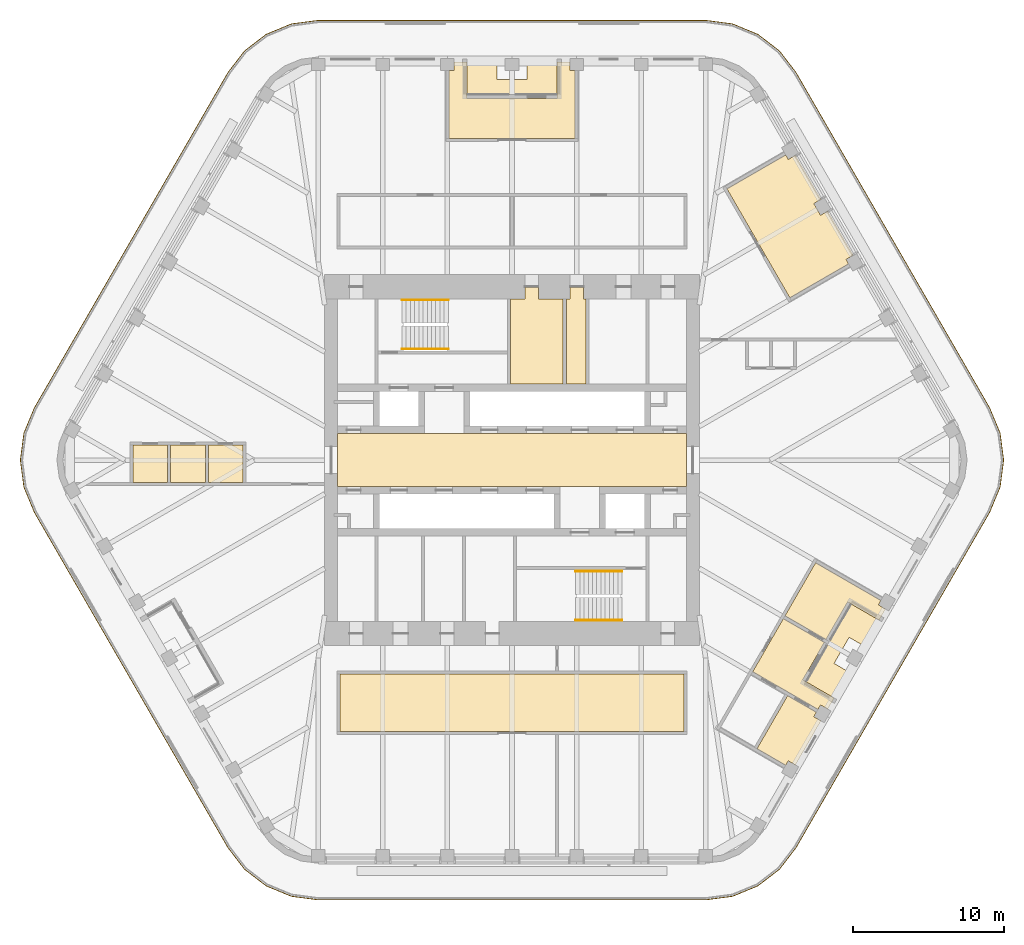
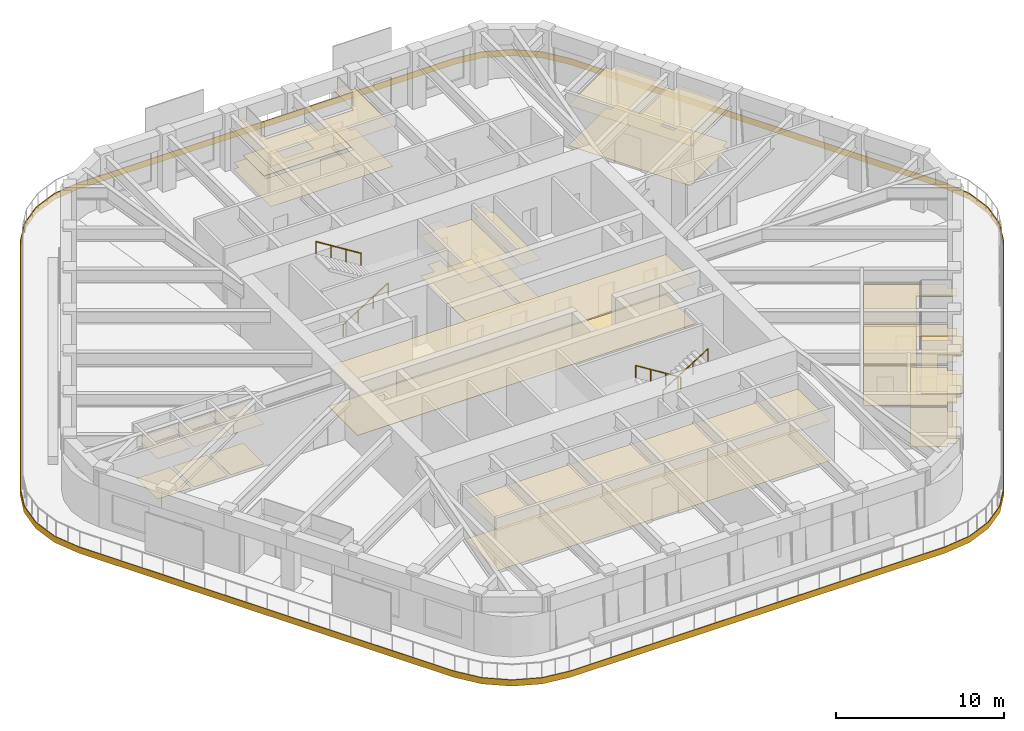
# One storey, part 18 of 19: 11 coverings, 4 railings.
"""IFC4 building model written with IfcOpenShell, lengths in metres."""

import ifcopenshell
import ifcopenshell.guid

model = None  # the IFC model being written
_history = None  # IfcOwnerHistory: only IFC2X3 demands one
_inside = {}  # id of a spatial element -> (the spatial element, [elements in it])
_under = {}  # id of a project, library or spatial element -> (it, [spatial elements below it])
_declared = {}  # id of a project -> (the project, [libraries it declares])
_typed = {}  # id of a type object -> (the type object, [elements of that type])
_made_of = {}  # id of a material, layer set ... -> (it, [elements and type objects made of it])


def new_model(schema):
    """Start an empty IFC model of exactly this schema.

    Asked for "IFC4X3", IfcOpenShell would pick the latest addendum, in which some entities
    have other attributes; the version numbers below select the first issue.
    IFC2X3 requires an IfcOwnerHistory on every rooted entity: one is made here for all.
    """
    global model, _history
    if schema == "IFC4X3":
        model = ifcopenshell.file(schema_version=(4, 3, 0, 0))
    else:
        model = ifcopenshell.file(schema=schema)
    _inside.clear()
    _under.clear()
    _declared.clear()
    _typed.clear()
    _made_of.clear()
    _history = None
    if model.schema == "IFC2X3":
        org = make("IfcOrganization", Name="unknown")
        user = make(
            "IfcPersonAndOrganization",
            ThePerson=make("IfcPerson", FamilyName="unknown"),
            TheOrganization=org,
        )
        app = make(
            "IfcApplication",
            ApplicationDeveloper=org,
            Version="unknown",
            ApplicationFullName="unknown",
            ApplicationIdentifier="unknown",
        )
        _history = make(
            "IfcOwnerHistory",
            OwningUser=user,
            OwningApplication=app,
            ChangeAction="ADDED",
            CreationDate=0,
        )
    return model


def make(cls, **values):
    """One entity of the class cls with the attributes given. An attribute that is None is left unset."""
    return model.create_entity(
        cls, **{name: value for name, value in values.items() if value is not None}
    )


def rooted(cls, **values):
    """An entity with a GlobalId (a new one), such as an element, a storey or a relation."""
    return make(cls, GlobalId=ifcopenshell.guid.new(), OwnerHistory=_history, **values)


def si_unit(unit_type, name, prefix=None):
    """IfcSIUnit, for example si_unit("LENGTHUNIT", "METRE", prefix="MILLI")."""
    return make("IfcSIUnit", UnitType=unit_type, Prefix=prefix, Name=name)


def assignment(units):
    """IfcUnitAssignment: the units of a project."""
    return None if units is None else make("IfcUnitAssignment", Units=units)


def point(xyz):
    """IfcCartesianPoint."""
    return None if xyz is None else make("IfcCartesianPoint", Coordinates=xyz)


def direction(xyz):
    """IfcDirection."""
    return None if xyz is None else make("IfcDirection", DirectionRatios=xyz)


def frame(location, z_axis=None, x_axis=None):
    """IfcAxis2Placement3D, a coordinate frame: its origin and axes. An axis left out is left unset."""
    return make(
        "IfcAxis2Placement3D",
        Location=point(location),
        Axis=direction(z_axis),
        RefDirection=direction(x_axis),
    )


def frame_2d(location, x_axis=None):
    """IfcAxis2Placement2D, a coordinate frame in the plane: its origin and x axis."""
    return make(
        "IfcAxis2Placement2D", Location=point(location), RefDirection=direction(x_axis)
    )


def origin():
    """The frame at (0, 0, 0) with its axes left unset."""
    return frame((0.0, 0.0, 0.0))


def origin_2d():
    """The frame at (0, 0) in the plane with its x axis left unset."""
    return frame_2d((0.0, 0.0))


def place(relative_to, where):
    """IfcLocalPlacement: puts the frame where relative to a parent placement (None: the world)."""
    return make(
        "IfcLocalPlacement", PlacementRelTo=relative_to, RelativePlacement=where
    )


def context(
    kind, dimensions, precision=None, world=None, true_north=None, identifier=None
):
    """IfcGeometricRepresentationContext, for example the 3D "Model" context."""
    return make(
        "IfcGeometricRepresentationContext",
        ContextIdentifier=identifier,
        ContextType=kind,
        CoordinateSpaceDimension=dimensions,
        Precision=precision,
        WorldCoordinateSystem=world,
        TrueNorth=true_north,
    )


def subcontext(parent, identifier, kind, view, scale=None):
    """IfcGeometricRepresentationSubContext, for example "Body" below "Model"."""
    return make(
        "IfcGeometricRepresentationSubContext",
        ContextIdentifier=identifier,
        ContextType=kind,
        ParentContext=parent,
        TargetScale=scale,
        TargetView=view,
    )


def project(units=None, contexts=None):
    """IfcProject with its units and contexts."""
    return rooted(
        "IfcProject",
        Name="project",
        RepresentationContexts=contexts,
        UnitsInContext=assignment(units),
    )


def spatial(cls, under=None, at=None, **own):
    """A site, building, storey or space (cls), placed at a placement, below another one or the project."""
    s = rooted(cls, ObjectPlacement=at, **own)
    if under is not None:
        _under.setdefault(under.id(), (under, []))[1].append(s)
    return s


def polyline(points):
    """IfcPolyline through the points."""
    return make("IfcPolyline", Points=[point(p) for p in points])


def profile(cls, at=None, kind="AREA", **sizes):
    """A parametric profile (cls). Its sizes go by their IFC names, for example OverallWidth=200.0."""
    return make(cls, ProfileType=kind, Position=at, **sizes)


def circle(**sizes):
    """IfcCircleProfileDef."""
    return profile("IfcCircleProfileDef", **sizes)


def outline(outer, holes=None, kind="AREA"):
    """IfcArbitraryClosedProfileDef: a profile drawn as a closed curve; with holes, ...WithVoids."""
    if holes is None:
        return make("IfcArbitraryClosedProfileDef", ProfileType=kind, OuterCurve=outer)
    return make(
        "IfcArbitraryProfileDefWithVoids",
        ProfileType=kind,
        OuterCurve=outer,
        InnerCurves=holes,
    )


def extrude(swept, where, along, depth):
    """IfcExtrudedAreaSolid: the profile swept, set in the frame where, extruded along a direction by depth."""
    return make(
        "IfcExtrudedAreaSolid",
        SweptArea=swept,
        Position=where,
        ExtrudedDirection=direction(along),
        Depth=depth,
    )


def shape(context_of_items, identifier, shape_type, items):
    """IfcShapeRepresentation: the items that make up one representation, for example the "Body"."""
    return make(
        "IfcShapeRepresentation",
        ContextOfItems=context_of_items,
        RepresentationIdentifier=identifier,
        RepresentationType=shape_type,
        Items=items,
    )


def material(Name=None, Category=None):
    """IfcMaterial."""
    return make("IfcMaterial", Name=Name, Category=Category)


def layer(
    of_material, thickness, ventilated=None, Name=None, Category=None, Priority=None
):
    """IfcMaterialLayer: one layer of a wall or slab, of a material (None: an air gap)."""
    return make(
        "IfcMaterialLayer",
        Material=of_material,
        LayerThickness=thickness,
        IsVentilated=ventilated,
        Name=Name,
        Category=Category,
        Priority=Priority,
    )


def layer_set(layers, Name=None):
    """IfcMaterialLayerSet."""
    return make("IfcMaterialLayerSet", MaterialLayers=layers, LayerSetName=Name)


def made_of(thing, what):
    """Note that an element or type object is made of a material, layer set ...; save() writes the relation."""
    if what is not None:
        _made_of.setdefault(what.id(), (what, []))[1].append(thing)
    return thing


def type_object(cls, material=None, **own):
    """A type object (cls), such as IfcWallType, which elements share."""
    return made_of(rooted(cls, **own), material)


def element(
    cls,
    number,
    at=None,
    inside=None,
    cuts=None,
    type_object=None,
    material=None,
    context=None,
    identifier="Body",
    shape_type=None,
    held_by="IfcProductDefinitionShape",
    body=None,
    shapes=None,
    **own,
):
    """One element of the class cls, such as IfcWall. Its Tag is "e" and its number.

    at: its placement. inside: the storey or other place that contains it. cuts: it is an
    opening in that element (IfcRelVoidsElement). A single representation is given by context,
    identifier, shape_type and body (its items); several are given by shapes. held_by: the class
    of the entity that holds the representations. save() writes the other relations.
    """
    e = rooted(cls, Tag="e%d" % number, ObjectPlacement=at, **own)
    if body is not None:
        shapes = [shape(context, identifier, shape_type, body)]
    if shapes is not None:
        e.Representation = make(held_by, Representations=shapes)
    if inside is not None:
        _inside.setdefault(inside.id(), (inside, []))[1].append(e)
    if cuts is not None:
        rooted(
            "IfcRelVoidsElement", RelatingBuildingElement=cuts, RelatedOpeningElement=e
        )
    if type_object is not None:
        _typed.setdefault(type_object.id(), (type_object, []))[1].append(e)
    return made_of(e, material)


def aggregate(whole, parts):
    """IfcRelAggregates: a whole, such as a stair, and the parts it consists of."""
    return rooted("IfcRelAggregates", RelatingObject=whole, RelatedObjects=parts)


def save(model, path):
    """Write the relations noted so far, then the file.

    IfcRelAggregates (storeys below a building ...), IfcRelContainedInSpatialStructure (elements
    in a storey), IfcRelDefinesByType, IfcRelAssociatesMaterial and IfcRelDeclares: one each for
    every whole, place, type object, material and project.
    """
    for whole, parts in _under.values():
        aggregate(whole, parts)
    for where, things in _inside.values():
        rooted(
            "IfcRelContainedInSpatialStructure",
            RelatedElements=things,
            RelatingStructure=where,
        )
    for kind, things in _typed.values():
        rooted("IfcRelDefinesByType", RelatedObjects=things, RelatingType=kind)
    for what, things in _made_of.values():
        rooted("IfcRelAssociatesMaterial", RelatedObjects=things, RelatingMaterial=what)
    for by, libraries in _declared.values():
        rooted("IfcRelDeclares", RelatingContext=by, RelatedDefinitions=libraries)
    model.write(path)


model = new_model("IFC4")

# Units and contexts
model_context = context("Model", 3, precision=1e-05, world=origin(), true_north=direction((0.0, 1.0)))
body_context = subcontext(model_context, "Body", "Model", "MODEL_VIEW")
ifc_project = project(units=[si_unit("LENGTHUNIT", "METRE"), si_unit("AREAUNIT", "SQUARE_METRE"), si_unit("VOLUMEUNIT", "CUBIC_METRE"), si_unit("PLANEANGLEUNIT", "RADIAN"), si_unit("MASSUNIT", "GRAM", prefix="KILO")], contexts=[model_context])

# Site, building, storey
site_placement = place(None, origin())
site = spatial("IfcSite", under=ifc_project, at=site_placement, CompositionType="ELEMENT")
building_placement = place(site_placement, origin())
building = spatial("IfcBuilding", under=site, at=building_placement, Name="Tarfa Lantern Tower", CompositionType="ELEMENT")
storey_placement = place(building_placement, frame((0.0, 0.0, 353.5)))
storey = spatial("IfcBuildingStorey", under=building, at=storey_placement, Name="L80", CompositionType="ELEMENT", Elevation=353.5)

# Coverings
ifc_material_1 = material(Name="Mineral fibre acoustic tile on suspension grid", Category="finish")
ifc_layer_1 = layer(ifc_material_1, 0.02001953125)
ifc_layer_set_1 = layer_set([ifc_layer_1], Name="CL1 ACOUSTIC TILE CEILING 20")
covering_type_1 = type_object("IfcCoveringType", Name="CL1 ACOUSTIC TILE CEILING 20", PredefinedType="CEILING", material=ifc_layer_set_1)
covering_1_placement = place(storey_placement, frame((0.0, 0.0, 2.89990234375)))
element("IfcCovering", 1, at=covering_1_placement, inside=storey, type_object=covering_type_1, Name="Ceiling L80 CL1", PredefinedType="CEILING", context=body_context, shape_type="SweptSolid", body=[
    extrude(outline(polyline([(4.18212890625, 21.35009765625), (-4.18212890625, 21.35009765625), (-4.18212890625, 25.85009765625), (-3.83203125, 25.85009765625), (-3.83203125, 26.39990234375), (-2.98193359375, 26.39990234375), (-2.98193359375, 24.0), (2.98193359375, 24.0), (2.98193359375, 26.39990234375), (3.83203125, 26.39990234375), (3.83203125, 25.85009765625), (4.18212890625, 25.85009765625), (4.18212890625, 21.35009765625)])), origin(), (0.0, 0.0, 1.0), 0.02001953125),
    extrude(outline(polyline([(14.257568359375, 18.005126953125), (18.15478515625, 20.255126953125), (18.329833984375, 19.951904296875), (18.80615234375, 20.22705078125), (20.4970703125, 17.298095703125), (20.020751953125, 17.02294921875), (20.470703125, 16.24365234375), (20.947021484375, 16.5185546875), (22.63818359375, 13.589599609375), (22.161865234375, 13.314697265625), (22.336669921875, 13.01171875), (18.439697265625, 10.76171875), (14.257568359375, 18.005126953125)])), origin(), (0.0, 0.0, 1.0), 0.02001953125),
    extrude(outline(polyline([(16.24951171875, -19.155029296875), (18.29052734375, -15.619873046875), (20.19580078125, -16.719970703125), (20.020751953125, -17.02294921875), (20.4970703125, -17.298095703125), (18.80615234375, -20.22705078125), (18.329833984375, -19.951904296875), (18.15478515625, -20.255126953125), (16.24951171875, -19.155029296875)])), origin(), (0.0, 0.0, 1.0), 0.02001953125),
    extrude(outline(polyline([(18.006591796875, -10.51171875), (20.734619140625, -12.086669921875), (19.293701171875, -14.58251953125), (21.3720703125, -15.782470703125), (20.947021484375, -16.5185546875), (20.470703125, -16.24365234375), (20.295654296875, -16.546630859375), (15.965576171875, -14.046630859375), (18.006591796875, -10.51171875)])), origin(), (0.0, 0.0, 1.0), 0.02001953125),
    extrude(outline(polyline([(-20.150146484375, 1.0), (-17.85009765625, 1.0), (-17.85009765625, -1.5), (-20.150146484375, -1.5), (-20.150146484375, 1.0)])), origin(), (0.0, 0.0, 1.0), 0.02001953125),
    extrude(outline(polyline([(-22.650146484375, 1.0), (-20.35009765625, 1.0), (-20.35009765625, -1.5), (-22.650146484375, -1.5), (-22.650146484375, 1.0)])), origin(), (0.0, 0.0, 1.0), 0.02001953125),
    extrude(outline(polyline([(-25.150146484375, 1.0), (-22.85009765625, 1.0), (-22.85009765625, -1.5), (-25.150146484375, -1.5), (-25.150146484375, 1.0)])), origin(), (0.0, 0.0, 1.0), 0.02001953125),
    extrude(outline(polyline([(-11.39990234375, -14.199951171875), (11.39990234375, -14.199951171875), (11.39990234375, -18.0), (-11.39990234375, -18.0), (-11.39990234375, -14.199951171875)])), origin(), (0.0, 0.0, 1.0), 0.02001953125),
    extrude(outline(polyline([(20.147705078125, -6.80322265625), (24.477783203125, -9.30322265625), (24.302734375, -9.6064453125), (24.779052734375, -9.88134765625), (24.35400390625, -10.617431640625), (22.275634765625, -9.41748046875), (20.834716796875, -11.913330078125), (18.106689453125, -10.33837890625), (20.147705078125, -6.80322265625)])), origin(), (0.0, 0.0, 1.0), 0.02001953125),
])
ifc_material_2 = material(Name="Moisture-resistant plasterboard", Category="finish")
ifc_layer_2 = layer(ifc_material_2, 0.014892578125)
ifc_layer_set_2 = layer_set([ifc_layer_2], Name="CL2 MOISTURE-RESISTANT PLASTERBOARD CEILING 15")
covering_type_2 = type_object("IfcCoveringType", Name="CL2 MOISTURE-RESISTANT PLASTERBOARD CEILING 15", PredefinedType="CEILING", material=ifc_layer_set_2)
covering_2_placement = place(storey_placement, frame((0.0, 0.0, 2.89990234375)))
element("IfcCovering", 2, at=covering_2_placement, inside=storey, type_object=covering_type_2, Name="Ceiling L80-05", PredefinedType="CEILING", context=body_context, shape_type="SweptSolid", body=[
    extrude(outline(polyline([(0.85009765625, 10.699951171875), (-0.10009765625, 10.699951171875), (-0.10009765625, 5.050048828125), (3.39990234375, 5.050048828125), (3.39990234375, 10.699951171875), (1.75, 10.699951171875), (1.75, 11.5), (0.85009765625, 11.5), (0.85009765625, 11.5), (0.85009765625, 10.699951171875)])), origin(), (0.0, 0.0, 1.0), 0.01513671875),
])
covering_3_placement = place(storey_placement, frame((0.0, 0.0, 2.89990234375)))
element("IfcCovering", 3, at=covering_3_placement, inside=storey, type_object=covering_type_2, Name="Ceiling L80-06", PredefinedType="CEILING", context=body_context, shape_type="SweptSolid", body=[
    extrude(outline(polyline([(3.60009765625, 5.050048828125), (4.89990234375, 5.050048828125), (4.89990234375, 10.699951171875), (4.75, 10.699951171875), (4.75, 11.5), (3.85009765625, 11.5), (3.85009765625, 10.699951171875), (3.60009765625, 10.699951171875), (3.60009765625, 5.050048828125)])), origin(), (0.0, 0.0, 1.0), 0.01513671875),
])
ifc_material_3 = material(Name="Powder-coated aluminium panel", Category="aluminium")
ifc_layer_3 = layer(ifc_material_3, 0.030029296875)
ifc_layer_set_3 = layer_set([ifc_layer_3], Name="CL3 METAL PANEL CEILING 30")
covering_type_3 = type_object("IfcCoveringType", Name="CL3 METAL PANEL CEILING 30", PredefinedType="CEILING", material=ifc_layer_set_3)
covering_4_placement = place(storey_placement, frame((0.0, 0.0, 2.89990234375)))
element("IfcCovering", 4, at=covering_4_placement, inside=storey, type_object=covering_type_3, Name="Ceiling L80-01", PredefinedType="CEILING", context=body_context, shape_type="SweptSolid", body=[
    extrude(outline(polyline([(-11.574951171875, -1.75), (11.574951171875, -1.75), (11.574951171875, 1.75), (-11.574951171875, 1.75), (-11.574951171875, -1.75)])), origin(), (0.0, 0.0, 1.0), 0.030029296875),
])
ifc_material_4 = material(Name="Nylon carpet tile", Category="finish")
ifc_layer_4 = layer(ifc_material_4, 0.010009765625)
ifc_layer_set_4 = layer_set([ifc_layer_4], Name="FL1 CARPET TILE 10")
covering_type_4 = type_object("IfcCoveringType", Name="FL1 CARPET TILE 10", PredefinedType="FLOORING", material=ifc_layer_set_4)
covering_5_placement = place(storey_placement, origin())
element("IfcCovering", 5, at=covering_5_placement, inside=storey, type_object=covering_type_4, Name="Floor finish L80 FL1", PredefinedType="FLOORING", context=body_context, shape_type="SweptSolid", body=[
    extrude(outline(polyline([(4.18212890625, 21.35009765625), (-4.18212890625, 21.35009765625), (-4.18212890625, 25.85009765625), (-3.83203125, 25.85009765625), (-3.83203125, 26.39990234375), (-2.98193359375, 26.39990234375), (-2.98193359375, 24.0), (2.98193359375, 24.0), (2.98193359375, 26.39990234375), (3.83203125, 26.39990234375), (3.83203125, 25.85009765625), (4.18212890625, 25.85009765625), (4.18212890625, 21.35009765625)])), origin(), (0.0, 0.0, 1.0), 0.010009765625),
    extrude(outline(polyline([(14.257568359375, 18.005126953125), (18.15478515625, 20.255126953125), (18.329833984375, 19.951904296875), (18.80615234375, 20.22705078125), (20.4970703125, 17.298095703125), (20.020751953125, 17.02294921875), (20.470703125, 16.24365234375), (20.947021484375, 16.5185546875), (22.63818359375, 13.589599609375), (22.161865234375, 13.314697265625), (22.336669921875, 13.01171875), (18.439697265625, 10.76171875), (14.257568359375, 18.005126953125)])), origin(), (0.0, 0.0, 1.0), 0.010009765625),
    extrude(outline(polyline([(16.24951171875, -19.155029296875), (18.29052734375, -15.619873046875), (20.19580078125, -16.719970703125), (20.020751953125, -17.02294921875), (20.4970703125, -17.298095703125), (18.80615234375, -20.22705078125), (18.329833984375, -19.951904296875), (18.15478515625, -20.255126953125), (16.24951171875, -19.155029296875)])), origin(), (0.0, 0.0, 1.0), 0.010009765625),
    extrude(outline(polyline([(18.006591796875, -10.51171875), (20.734619140625, -12.086669921875), (19.293701171875, -14.58251953125), (21.3720703125, -15.782470703125), (20.947021484375, -16.5185546875), (20.470703125, -16.24365234375), (20.295654296875, -16.546630859375), (15.965576171875, -14.046630859375), (18.006591796875, -10.51171875)])), origin(), (0.0, 0.0, 1.0), 0.010009765625),
    extrude(outline(polyline([(-20.150146484375, 1.0), (-17.85009765625, 1.0), (-17.85009765625, -1.5), (-20.150146484375, -1.5), (-20.150146484375, 1.0)])), origin(), (0.0, 0.0, 1.0), 0.010009765625),
    extrude(outline(polyline([(-22.650146484375, 1.0), (-20.35009765625, 1.0), (-20.35009765625, -1.5), (-22.650146484375, -1.5), (-22.650146484375, 1.0)])), origin(), (0.0, 0.0, 1.0), 0.010009765625),
    extrude(outline(polyline([(-25.150146484375, 1.0), (-22.85009765625, 1.0), (-22.85009765625, -1.5), (-25.150146484375, -1.5), (-25.150146484375, 1.0)])), origin(), (0.0, 0.0, 1.0), 0.010009765625),
    extrude(outline(polyline([(-11.39990234375, -14.199951171875), (11.39990234375, -14.199951171875), (11.39990234375, -18.0), (-11.39990234375, -18.0), (-11.39990234375, -14.199951171875)])), origin(), (0.0, 0.0, 1.0), 0.010009765625),
    extrude(outline(polyline([(20.147705078125, -6.80322265625), (24.477783203125, -9.30322265625), (24.302734375, -9.6064453125), (24.779052734375, -9.88134765625), (24.35400390625, -10.617431640625), (22.275634765625, -9.41748046875), (20.834716796875, -11.913330078125), (18.106689453125, -10.33837890625), (20.147705078125, -6.80322265625)])), origin(), (0.0, 0.0, 1.0), 0.010009765625),
])
ifc_material_5 = material(Name="Honed limestone flooring", Category="masonry")
ifc_layer_5 = layer(ifc_material_5, 0.030029296875)
ifc_layer_set_5 = layer_set([ifc_layer_5], Name="FL2 STONE FLOORING 30")
covering_type_5 = type_object("IfcCoveringType", Name="FL2 STONE FLOORING 30", PredefinedType="FLOORING", material=ifc_layer_set_5)
covering_6_placement = place(storey_placement, origin())
element("IfcCovering", 6, at=covering_6_placement, inside=storey, type_object=covering_type_5, Name="Floor finish L80-01", PredefinedType="FLOORING", context=body_context, shape_type="SweptSolid", body=[
    extrude(outline(polyline([(-11.574951171875, -1.75), (11.574951171875, -1.75), (11.574951171875, 1.75), (-11.574951171875, 1.75), (-11.574951171875, -1.75)])), origin(), (0.0, 0.0, 1.0), 0.030029296875),
])
ifc_material_6 = material(Name="Porcelain floor tile", Category="finish")
ifc_layer_6 = layer(ifc_material_6, 0.011962890625)
ifc_layer_set_6 = layer_set([ifc_layer_6], Name="FL3 CERAMIC TILE 12")
covering_type_6 = type_object("IfcCoveringType", Name="FL3 CERAMIC TILE 12", PredefinedType="FLOORING", material=ifc_layer_set_6)
covering_7_placement = place(storey_placement, origin())
element("IfcCovering", 7, at=covering_7_placement, inside=storey, type_object=covering_type_6, Name="Floor finish L80-05", PredefinedType="FLOORING", context=body_context, shape_type="SweptSolid", body=[
    extrude(outline(polyline([(0.85009765625, 10.699951171875), (-0.10009765625, 10.699951171875), (-0.10009765625, 5.050048828125), (3.39990234375, 5.050048828125), (3.39990234375, 10.699951171875), (1.75, 10.699951171875), (1.75, 11.5), (0.85009765625, 11.5), (0.85009765625, 11.5), (0.85009765625, 10.699951171875)])), origin(), (0.0, 0.0, 1.0), 0.011962890625),
])
covering_8_placement = place(storey_placement, origin())
element("IfcCovering", 8, at=covering_8_placement, inside=storey, type_object=covering_type_6, Name="Floor finish L80-06", PredefinedType="FLOORING", context=body_context, shape_type="SweptSolid", body=[
    extrude(outline(polyline([(3.60009765625, 5.050048828125), (4.89990234375, 5.050048828125), (4.89990234375, 10.699951171875), (4.75, 10.699951171875), (4.75, 11.5), (3.85009765625, 11.5), (3.85009765625, 10.699951171875), (3.60009765625, 10.699951171875), (3.60009765625, 5.050048828125)])), origin(), (0.0, 0.0, 1.0), 0.011962890625),
])

# Railings
ifc_material_7 = material(Name="Stainless steel", Category="steel")
railing_type = type_object("IfcRailingType", Name="HR1 HANDRAIL 900", PredefinedType="HANDRAIL", material=ifc_material_7)
railing_1_placement = place(storey_placement, frame((-7.300048828125, 7.3798828125, 0.175048828125)))
element("IfcRailing", 9, at=railing_1_placement, inside=storey, type_object=railing_type, Name="Handrail 1", PredefinedType="HANDRAIL", context=body_context, shape_type="SweptSolid", body=[
    extrude(circle(Radius=0.02392578125, at=origin_2d()), frame((0.0, 0.0, 0.8759765625), z_axis=(0.847998304005, 0.0, 0.529998940003), x_axis=(0.0, 1.0, 0.0)), (0.0, 0.0, 1.0), 3.632080078125),
    extrude(circle(Radius=0.02099609375, at=origin_2d()), frame((0.0, 0.0, 0.0), z_axis=(0.0, 0.0, 1.0), x_axis=(0.0, 1.0, 0.0)), (0.0, 0.0, 1.0), 0.851806640625),
    extrude(circle(Radius=0.02099609375, at=origin_2d()), frame((1.026611328125, 0.0, 0.6416015625), z_axis=(0.0, 0.0, 1.0), x_axis=(0.0, 1.0, 0.0)), (0.0, 0.0, 1.0), 0.851806640625),
    extrude(circle(Radius=0.02099609375, at=origin_2d()), frame((2.053466796875, 0.0, 1.283447265625), z_axis=(0.0, 0.0, 1.0), x_axis=(0.0, 1.0, 0.0)), (0.0, 0.0, 1.0), 0.851806640625),
    extrude(circle(Radius=0.02099609375, at=origin_2d()), frame((3.080078125, 0.0, 1.925048828125), z_axis=(0.0, 0.0, 1.0), x_axis=(0.0, 1.0, 0.0)), (0.0, 0.0, 1.0), 0.851806640625),
])
for number, where, name in (
    (10, (-4.219970703125, 10.6201171875, 2.27490234375), "Handrail 2"),
    (11, (7.300048828125, -7.3798828125, 0.175048828125), "Handrail 1"),
):
    element("IfcRailing", number, at=place(storey_placement, frame(where)), inside=storey, type_object=railing_type, Name=name, PredefinedType="HANDRAIL", context=body_context, shape_type="SweptSolid", body=[
        extrude(circle(Radius=0.02392578125, at=origin_2d()), frame((0.0, 0.0, 0.8759765625), z_axis=(-0.847998304005, 0.0, 0.529998940003), x_axis=(0.0, -1.0, 0.0)), (0.0, 0.0, 1.0), 3.632080078125),
        extrude(circle(Radius=0.02099609375, at=origin_2d()), frame((0.0, 0.0, 0.0), z_axis=(0.0, 0.0, 1.0), x_axis=(0.0, -1.0, 0.0)), (0.0, 0.0, 1.0), 0.851806640625),
        extrude(circle(Radius=0.02099609375, at=origin_2d()), frame((-1.026611328125, 0.0, 0.6416015625), z_axis=(0.0, 0.0, 1.0), x_axis=(0.0, -1.0, 0.0)), (0.0, 0.0, 1.0), 0.851806640625),
        extrude(circle(Radius=0.02099609375, at=origin_2d()), frame((-2.053466796875, 0.0, 1.283447265625), z_axis=(0.0, 0.0, 1.0), x_axis=(0.0, -1.0, 0.0)), (0.0, 0.0, 1.0), 0.851806640625),
        extrude(circle(Radius=0.02099609375, at=origin_2d()), frame((-3.080078125, 0.0, 1.925048828125), z_axis=(0.0, 0.0, 1.0), x_axis=(0.0, -1.0, 0.0)), (0.0, 0.0, 1.0), 0.851806640625),
    ])
railing_2_placement = place(storey_placement, frame((4.219970703125, -10.6201171875, 2.27490234375)))
element("IfcRailing", 12, at=railing_2_placement, inside=storey, type_object=railing_type, Name="Handrail 2", PredefinedType="HANDRAIL", context=body_context, shape_type="SweptSolid", body=[
    extrude(circle(Radius=0.02392578125, at=origin_2d()), frame((0.0, 0.0, 0.8759765625), z_axis=(0.847998304005, 0.0, 0.529998940003), x_axis=(0.0, 1.0, 0.0)), (0.0, 0.0, 1.0), 3.632080078125),
    extrude(circle(Radius=0.02099609375, at=origin_2d()), frame((0.0, 0.0, 0.0), z_axis=(0.0, 0.0, 1.0), x_axis=(0.0, 1.0, 0.0)), (0.0, 0.0, 1.0), 0.851806640625),
    extrude(circle(Radius=0.02099609375, at=origin_2d()), frame((1.026611328125, 0.0, 0.6416015625), z_axis=(0.0, 0.0, 1.0), x_axis=(0.0, 1.0, 0.0)), (0.0, 0.0, 1.0), 0.851806640625),
    extrude(circle(Radius=0.02099609375, at=origin_2d()), frame((2.053466796875, 0.0, 1.283447265625), z_axis=(0.0, 0.0, 1.0), x_axis=(0.0, 1.0, 0.0)), (0.0, 0.0, 1.0), 0.851806640625),
    extrude(circle(Radius=0.02099609375, at=origin_2d()), frame((3.080078125, 0.0, 1.925048828125), z_axis=(0.0, 0.0, 1.0), x_axis=(0.0, 1.0, 0.0)), (0.0, 0.0, 1.0), 0.851806640625),
])

# Coverings
ifc_material_8 = material(Name="Porcelain pavers on pedestals", Category="ceramic")
ifc_layer_7 = layer(ifc_material_8, 0.0400390625)
ifc_layer_set_7 = layer_set([ifc_layer_7], Name="LP1 LOGGIA PAVING 40")
covering_type_7 = type_object("IfcCoveringType", Name="LP1 LOGGIA PAVING 40", PredefinedType="FLOORING", material=ifc_layer_set_7)
covering_9_placement = place(storey_placement, origin())
element("IfcCovering", 13, at=covering_9_placement, inside=storey, type_object=covering_type_7, Name="Terrace paving N", PredefinedType="FLOORING", context=body_context, shape_type="SweptSolid", body=[
    extrude(outline(polyline([(2.98193359375, 26.75), (2.98193359375, 24.27001953125), (-2.98193359375, 24.27001953125), (-2.98193359375, 26.75), (-1.0, 26.75), (-1.0, 25.25), (1.0, 25.25), (1.0, 26.75), (2.98193359375, 26.75)])), origin(), (0.0, 0.0, 1.0), 0.0400390625),
])
covering_10_placement = place(storey_placement, origin())
element("IfcCovering", 14, at=covering_10_placement, inside=storey, type_object=covering_type_7, Name="Terrace paving SE", PredefinedType="FLOORING", context=body_context, shape_type="SweptSolid", body=[
    extrude(outline(polyline([(21.67529296875, -15.95751953125), (19.52734375, -14.717529296875), (22.509521484375, -9.552490234375), (24.6572265625, -10.79248046875), (23.666259765625, -12.509033203125), (22.3671875, -11.759033203125), (21.3671875, -13.490966796875), (22.666259765625, -14.240966796875), (21.67529296875, -15.95751953125)])), origin(), (0.0, 0.0, 1.0), 0.0400390625),
])
ifc_material_9 = material(Name="Limestone cladding on brackets", Category="masonry")
ifc_layer_8 = layer(ifc_material_9, 0.050048828125)
ifc_layer_set_8 = layer_set([ifc_layer_8], Name="SB1 STONE BAND CLADDING 50")
covering_type_8 = type_object("IfcCoveringType", Name="SB1 STONE BAND CLADDING 50", PredefinedType="CLADDING", material=ifc_layer_set_8)
covering_11_placement = place(storey_placement, frame((0.0, 0.0, -0.39990234375)))
element("IfcCovering", 15, at=covering_11_placement, inside=storey, type_object=covering_type_8, Name="Stone band", PredefinedType="CLADDING", context=body_context, shape_type="SweptSolid", body=[
    extrude(outline(polyline([(31.7109375, 3.47509765625), (18.864990234375, 25.72509765625), (17.760498046875, 27.164306640625), (16.321044921875, 28.268798828125), (14.644775390625, 28.963134765625), (12.845947265625, 29.199951171875), (-12.845947265625, 29.199951171875), (-14.644775390625, 28.963134765625), (-16.321044921875, 28.268798828125), (-17.760498046875, 27.164306640625), (-18.864990234375, 25.72509765625), (-31.7109375, 3.47509765625), (-32.4052734375, 1.798828125), (-32.64208984375, 0.0), (-32.4052734375, -1.798828125), (-31.7109375, -3.47509765625), (-18.864990234375, -25.72509765625), (-17.760498046875, -27.164306640625), (-16.321044921875, -28.268798828125), (-14.644775390625, -28.963134765625), (-12.845947265625, -29.199951171875), (12.845947265625, -29.199951171875), (14.644775390625, -28.963134765625), (16.321044921875, -28.268798828125), (17.760498046875, -27.164306640625), (18.864990234375, -25.72509765625), (31.7109375, -3.47509765625), (32.4052734375, -1.798828125), (32.64208984375, 0.0), (32.4052734375, 1.798828125), (31.7109375, 3.47509765625)]), holes=[polyline([(31.667724609375, 3.449951171875), (18.821533203125, 25.699951171875), (17.72509765625, 27.129150390625), (16.296142578125, 28.2255859375), (14.6318359375, 28.914794921875), (12.845947265625, 29.14990234375), (-12.845947265625, 29.14990234375), (-14.6318359375, 28.914794921875), (-16.296142578125, 28.2255859375), (-17.72509765625, 27.129150390625), (-18.821533203125, 25.699951171875), (-31.667724609375, 3.449951171875), (-32.35693359375, 1.785888671875), (-32.592041015625, 0.0), (-32.35693359375, -1.785888671875), (-31.667724609375, -3.449951171875), (-18.821533203125, -25.699951171875), (-17.72509765625, -27.129150390625), (-16.296142578125, -28.2255859375), (-14.6318359375, -28.914794921875), (-12.845947265625, -29.14990234375), (12.845947265625, -29.14990234375), (14.6318359375, -28.914794921875), (16.296142578125, -28.2255859375), (17.72509765625, -27.129150390625), (18.821533203125, -25.699951171875), (31.667724609375, -3.449951171875), (32.35693359375, -1.785888671875), (32.592041015625, 0.0), (32.35693359375, 1.785888671875), (31.667724609375, 3.449951171875)])]), origin(), (0.0, 0.0, 1.0), 0.449951171875),
])

save(model, "model.ifc")
